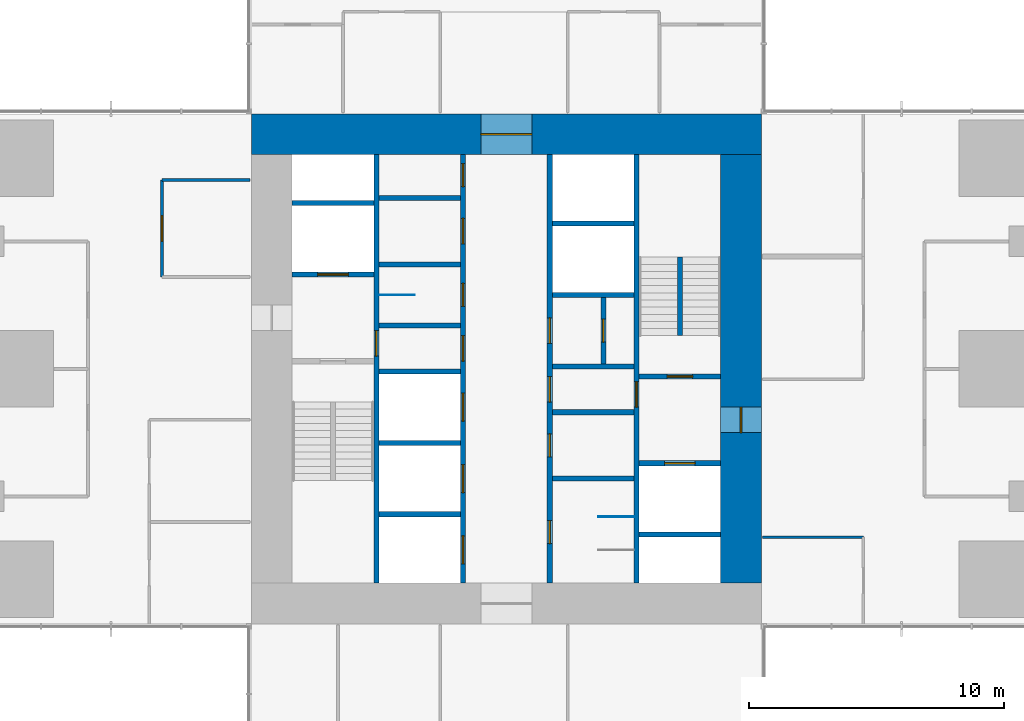
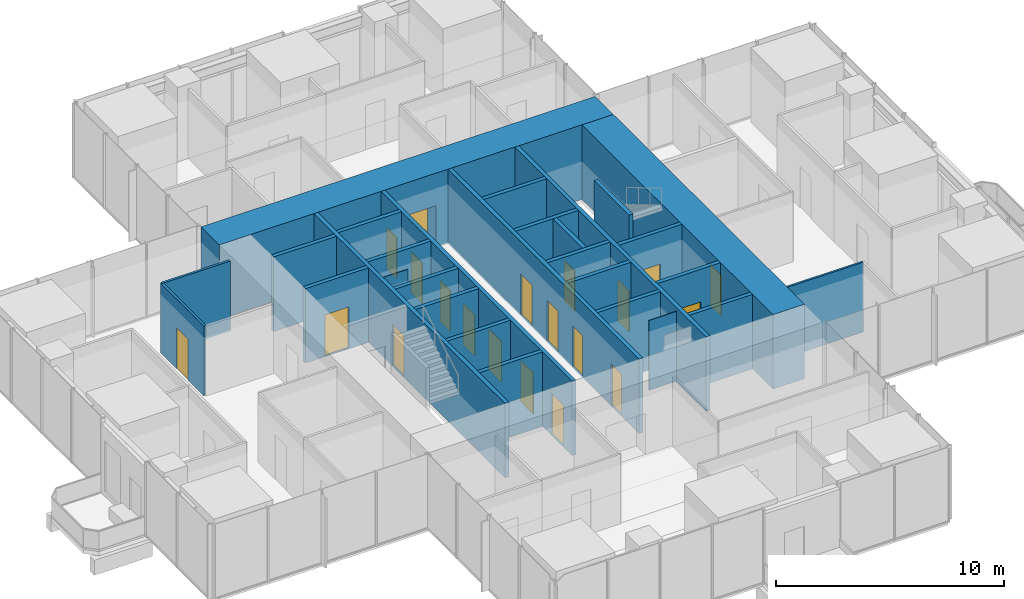
# One storey, part 9 of 14: 29 walls, 20 doors, 20 openings.
"""IFC4 building model written with IfcOpenShell, lengths in metres."""

from ifc_helpers import new_model, si_unit, direction, frame, frame_2d, origin, place, context, subcontext, project, spatial, rectangle, extrude, material, layer, layer_set, type_object, element, fill, save


model = new_model("IFC4")

# Units and contexts
model_context = context("Model", 3, precision=1e-05, world=origin(), true_north=direction((0.0, 1.0)))
body_context = subcontext(model_context, "Body", "Model", "MODEL_VIEW")
ifc_project = project(units=[si_unit("LENGTHUNIT", "METRE"), si_unit("AREAUNIT", "SQUARE_METRE"), si_unit("VOLUMEUNIT", "CUBIC_METRE"), si_unit("PLANEANGLEUNIT", "RADIAN"), si_unit("MASSUNIT", "GRAM", prefix="KILO")], contexts=[model_context])

# Site, building, storey
site_placement = place(None, origin())
site = spatial("IfcSite", under=ifc_project, at=site_placement, CompositionType="ELEMENT")
building_placement = place(site_placement, origin())
building = spatial("IfcBuilding", under=site, at=building_placement, Name="Svetlomir Tower", CompositionType="ELEMENT")
storey_placement = place(building_placement, frame((0.0, 0.0, 104.5)))
storey = spatial("IfcBuildingStorey", under=building, at=storey_placement, Name="L24", CompositionType="ELEMENT", Elevation=104.5)

# Wall, opening, door
ifc_material_1 = material(Name="Concrete C60/75", Category="concrete")
ifc_layer_1 = layer(ifc_material_1, 0.199951171875)
ifc_layer_set_1 = layer_set([ifc_layer_1], Name="Concrete C60/75")
wall_type_1 = type_object("IfcWallType", Name="CORE INNER WALL 200", PredefinedType="SHEAR", material=ifc_layer_set_1)
wall_1_placement = place(storey_placement, frame((15.89990234375, 12.60009765625, -0.050048828125), z_axis=(0.0, 0.0, 1.0), x_axis=(0.0, 1.0, 0.0)))
wall_1 = element("IfcWall", 1, at=wall_1_placement, inside=storey, type_object=wall_type_1, Name="Core inner wall 15.9 L24", PredefinedType="SHEAR", context=body_context, shape_type="SweptSolid", body=[
    extrude(rectangle(XDim=16.7998046875, YDim=0.199951171875, at=frame_2d((8.39990234375, 0.0))), origin(), (0.0, 0.0, 1.0), 4.0),
])
opening_1_placement = place(wall_1_placement, frame((8.89990234375, 0.0, 0.050048828125)))
opening_1 = element("IfcOpeningElement", 2, at=opening_1_placement, cuts=wall_1, Name="Opening DF", PredefinedType="OPENING", context=body_context, shape_type="SweptSolid", body=[
    extrude(rectangle(XDim=1.0, YDim=2.199951171875, at=frame_2d((0.5, 1.10009765625))), frame((0.0, 0.10986328125, 0.0), z_axis=(0.0, -1.0, 0.0), x_axis=(1.0, 0.0, 0.0)), (0.0, 0.0, 1.0), 0.219970703125),
])
ifc_material_2 = material(Name="Steel fire door", Category="steel")
door_type_1 = type_object("IfcDoorType", Name="DOOR DF 1000x2200", OperationType="SINGLE_SWING_LEFT", PredefinedType="DOOR", material=ifc_material_2)
door_1_placement = place(opening_1_placement, origin())
door_1 = element("IfcDoor", 3, at=door_1_placement, inside=storey, type_object=door_type_1, Name="Core corridor west door L24", OperationType="SINGLE_SWING_LEFT", OverallHeight=2.199951171875, OverallWidth=1.0, PredefinedType="DOOR", context=body_context, shape_type="SweptSolid", body=[
    extrude(rectangle(XDim=1.0, YDim=2.199951171875, at=frame_2d((0.5, 1.10009765625))), frame((0.0, 0.02490234375, 0.0), z_axis=(0.0, -1.0, 0.0), x_axis=(1.0, 0.0, 0.0)), (0.0, 0.0, 1.0), 0.050048828125),
])
fill(opening_1, door_1)

# Wall, openings, doors
wall_2_placement = place(storey_placement, frame((19.300048828125, 12.60009765625, -0.050048828125), z_axis=(0.0, 0.0, 1.0), x_axis=(0.0, 1.0, 0.0)))
wall_2 = element("IfcWall", 4, at=wall_2_placement, inside=storey, type_object=wall_type_1, Name="Core inner wall 19.3 L24", PredefinedType="SHEAR", context=body_context, shape_type="SweptSolid", body=[
    extrude(rectangle(XDim=16.7998046875, YDim=0.199951171875, at=frame_2d((8.39990234375, 0.0))), origin(), (0.0, 0.0, 1.0), 4.0),
])
opening_2_placement = place(wall_2_placement, frame((8.699951171875, 0.0, 0.050048828125)))
opening_2 = element("IfcOpeningElement", 5, at=opening_2_placement, cuts=wall_2, Name="Opening DC", PredefinedType="OPENING", context=body_context, shape_type="SweptSolid", body=[
    extrude(rectangle(XDim=1.0, YDim=2.199951171875, at=frame_2d((0.5, 1.10009765625))), frame((0.0, 0.10986328125, 0.0), z_axis=(0.0, -1.0, 0.0), x_axis=(1.0, 0.0, 0.0)), (0.0, 0.0, 1.0), 0.219970703125),
])
opening_3_placement = place(wall_2_placement, frame((10.85009765625, 0.0, 0.050048828125)))
opening_3 = element("IfcOpeningElement", 6, at=opening_3_placement, cuts=wall_2, Name="Opening DW", PredefinedType="OPENING", context=body_context, shape_type="SweptSolid", body=[
    extrude(rectangle(XDim=0.89990234375, YDim=2.199951171875, at=frame_2d((0.449951171875, 1.10009765625))), frame((0.0, 0.10986328125, 0.0), z_axis=(0.0, -1.0, 0.0), x_axis=(1.0, 0.0, 0.0)), (0.0, 0.0, 1.0), 0.219970703125),
])
opening_4_placement = place(wall_2_placement, frame((13.300048828125, 0.0, 0.050048828125)))
opening_4 = element("IfcOpeningElement", 7, at=opening_4_placement, cuts=wall_2, Name="Opening DC", PredefinedType="OPENING", context=body_context, shape_type="SweptSolid", body=[
    extrude(rectangle(XDim=1.0, YDim=2.199951171875, at=frame_2d((0.5, 1.10009765625))), frame((0.0, 0.10986328125, 0.0), z_axis=(0.0, -1.0, 0.0), x_axis=(1.0, 0.0, 0.0)), (0.0, 0.0, 1.0), 0.219970703125),
])
opening_5_placement = place(wall_2_placement, frame((15.550048828125, 0.0, 0.050048828125)))
opening_5 = element("IfcOpeningElement", 8, at=opening_5_placement, cuts=wall_2, Name="Opening DW", PredefinedType="OPENING", context=body_context, shape_type="SweptSolid", body=[
    extrude(rectangle(XDim=0.89990234375, YDim=2.199951171875, at=frame_2d((0.449951171875, 1.10009765625))), frame((0.0, 0.10986328125, 0.0), z_axis=(0.0, -1.0, 0.0), x_axis=(1.0, 0.0, 0.0)), (0.0, 0.0, 1.0), 0.219970703125),
])
opening_6_placement = place(wall_2_placement, frame((0.75, 0.0, 0.050048828125)))
opening_6 = element("IfcOpeningElement", 9, at=opening_6_placement, cuts=wall_2, Name="Opening LD", PredefinedType="OPENING", context=body_context, shape_type="SweptSolid", body=[
    extrude(rectangle(XDim=1.10009765625, YDim=2.199951171875, at=frame_2d((0.550048828125, 1.10009765625))), frame((0.0, 0.10986328125, 0.0), z_axis=(0.0, -1.0, 0.0), x_axis=(1.0, 0.0, 0.0)), (0.0, 0.0, 1.0), 0.219970703125),
])
opening_7_placement = place(wall_2_placement, frame((3.550048828125, 0.0, 0.050048828125)))
opening_7 = element("IfcOpeningElement", 10, at=opening_7_placement, cuts=wall_2, Name="Opening LD", PredefinedType="OPENING", context=body_context, shape_type="SweptSolid", body=[
    extrude(rectangle(XDim=1.10009765625, YDim=2.199951171875, at=frame_2d((0.550048828125, 1.10009765625))), frame((0.0, 0.10986328125, 0.0), z_axis=(0.0, -1.0, 0.0), x_axis=(1.0, 0.0, 0.0)), (0.0, 0.0, 1.0), 0.219970703125),
])
opening_8_placement = place(wall_2_placement, frame((6.35009765625, 0.0, 0.050048828125)))
opening_8 = element("IfcOpeningElement", 11, at=opening_8_placement, cuts=wall_2, Name="Opening LD", PredefinedType="OPENING", context=body_context, shape_type="SweptSolid", body=[
    extrude(rectangle(XDim=1.10009765625, YDim=2.199951171875, at=frame_2d((0.550048828125, 1.10009765625))), frame((0.0, 0.10986328125, 0.0), z_axis=(0.0, -1.0, 0.0), x_axis=(1.0, 0.0, 0.0)), (0.0, 0.0, 1.0), 0.219970703125),
])
ifc_material_3 = material(Name="Timber fire door", Category="wood")
door_type_2 = type_object("IfcDoorType", Name="DOOR DC 1000x2200", OperationType="SINGLE_SWING_LEFT", PredefinedType="DOOR", material=ifc_material_3)
door_2_placement = place(opening_2_placement, origin())
door_2 = element("IfcDoor", 12, at=door_2_placement, inside=storey, type_object=door_type_2, Name="Core corridor west lobby door L24", OperationType="SINGLE_SWING_LEFT", OverallHeight=2.199951171875, OverallWidth=1.0, PredefinedType="DOOR", context=body_context, shape_type="SweptSolid", body=[
    extrude(rectangle(XDim=1.0, YDim=2.199951171875, at=frame_2d((0.5, 1.10009765625))), frame((0.0, 0.02490234375, 0.0), z_axis=(0.0, -1.0, 0.0), x_axis=(1.0, 0.0, 0.0)), (0.0, 0.0, 1.0), 0.050048828125),
])
fill(opening_2, door_2)
door_3_placement = place(opening_4_placement, origin())
door_3 = element("IfcDoor", 13, at=door_3_placement, inside=storey, type_object=door_type_2, Name="Accessible WC door L24", OperationType="SINGLE_SWING_RIGHT", OverallHeight=2.199951171875, OverallWidth=1.0, PredefinedType="DOOR", context=body_context, shape_type="SweptSolid", body=[
    extrude(rectangle(XDim=1.0, YDim=2.199951171875, at=frame_2d((0.5, 1.10009765625))), frame((0.0, 0.02490234375, 0.0), z_axis=(0.0, -1.0, 0.0), x_axis=(1.0, 0.0, 0.0)), (0.0, 0.0, 1.0), 0.050048828125),
])
fill(opening_4, door_3)
ifc_material_4 = material(Name="Timber fire door", Category="wood")
door_type_3 = type_object("IfcDoorType", Name="DOOR DW 900x2200", OperationType="SINGLE_SWING_LEFT", PredefinedType="DOOR", material=ifc_material_4)
door_4_placement = place(opening_3_placement, origin())
door_4 = element("IfcDoor", 14, at=door_4_placement, inside=storey, type_object=door_type_3, Name="Female WC door L24", OperationType="SINGLE_SWING_LEFT", OverallHeight=2.199951171875, OverallWidth=0.89990234375, PredefinedType="DOOR", context=body_context, shape_type="SweptSolid", body=[
    extrude(rectangle(XDim=0.89990234375, YDim=2.199951171875, at=frame_2d((0.449951171875, 1.10009765625))), frame((0.0, 0.02490234375, 0.0), z_axis=(0.0, -1.0, 0.0), x_axis=(1.0, 0.0, 0.0)), (0.0, 0.0, 1.0), 0.050048828125),
])
fill(opening_3, door_4)
door_5_placement = place(opening_5_placement, origin())
door_5 = element("IfcDoor", 15, at=door_5_placement, inside=storey, type_object=door_type_3, Name="Cleaner's store door L24", OperationType="SINGLE_SWING_LEFT", OverallHeight=2.199951171875, OverallWidth=0.89990234375, PredefinedType="DOOR", context=body_context, shape_type="SweptSolid", body=[
    extrude(rectangle(XDim=0.89990234375, YDim=2.199951171875, at=frame_2d((0.449951171875, 1.10009765625))), frame((0.0, 0.02490234375, 0.0), z_axis=(0.0, -1.0, 0.0), x_axis=(1.0, 0.0, 0.0)), (0.0, 0.0, 1.0), 0.050048828125),
])
fill(opening_5, door_5)
ifc_material_5 = material(Name="Stainless steel landing door", Category="steel")
door_type_4 = type_object("IfcDoorType", Name="LIFT LANDING DOOR LD 1100x2200", OperationType="DOUBLE_DOOR_SLIDING", PredefinedType="DOOR", material=ifc_material_5)
door_6_placement = place(opening_6_placement, origin())
door_6 = element("IfcDoor", 16, at=door_6_placement, inside=storey, type_object=door_type_4, Name="Landing door lift LB1 L24", OperationType="DOUBLE_DOOR_SLIDING", OverallHeight=2.199951171875, OverallWidth=1.10009765625, PredefinedType="DOOR", context=body_context, shape_type="SweptSolid", body=[
    extrude(rectangle(XDim=1.10009765625, YDim=2.199951171875, at=frame_2d((0.550048828125, 1.10009765625))), frame((0.0, 0.02490234375, 0.0), z_axis=(0.0, -1.0, 0.0), x_axis=(1.0, 0.0, 0.0)), (0.0, 0.0, 1.0), 0.050048828125),
])
fill(opening_6, door_6)
door_7_placement = place(opening_7_placement, origin())
door_7 = element("IfcDoor", 17, at=door_7_placement, inside=storey, type_object=door_type_4, Name="Landing door lift LB2 L24", OperationType="DOUBLE_DOOR_SLIDING", OverallHeight=2.199951171875, OverallWidth=1.10009765625, PredefinedType="DOOR", context=body_context, shape_type="SweptSolid", body=[
    extrude(rectangle(XDim=1.10009765625, YDim=2.199951171875, at=frame_2d((0.550048828125, 1.10009765625))), frame((0.0, 0.02490234375, 0.0), z_axis=(0.0, -1.0, 0.0), x_axis=(1.0, 0.0, 0.0)), (0.0, 0.0, 1.0), 0.050048828125),
])
fill(opening_7, door_7)
door_8_placement = place(opening_8_placement, origin())
door_8 = element("IfcDoor", 18, at=door_8_placement, inside=storey, type_object=door_type_4, Name="Landing door lift LB3 L24", OperationType="DOUBLE_DOOR_SLIDING", OverallHeight=2.199951171875, OverallWidth=1.10009765625, PredefinedType="DOOR", context=body_context, shape_type="SweptSolid", body=[
    extrude(rectangle(XDim=1.10009765625, YDim=2.199951171875, at=frame_2d((0.550048828125, 1.10009765625))), frame((0.0, 0.02490234375, 0.0), z_axis=(0.0, -1.0, 0.0), x_axis=(1.0, 0.0, 0.0)), (0.0, 0.0, 1.0), 0.050048828125),
])
fill(opening_8, door_8)

wall_3_placement = place(storey_placement, frame((22.699951171875, 12.60009765625, -0.050048828125), z_axis=(0.0, 0.0, 1.0), x_axis=(0.0, 1.0, 0.0)))
wall_3 = element("IfcWall", 19, at=wall_3_placement, inside=storey, type_object=wall_type_1, Name="Core inner wall 22.7 L24", PredefinedType="SHEAR", context=body_context, shape_type="SweptSolid", body=[
    extrude(rectangle(XDim=16.7998046875, YDim=0.199951171875, at=frame_2d((8.39990234375, 0.0))), origin(), (0.0, 0.0, 1.0), 4.0),
])
opening_9_placement = place(wall_3_placement, frame((7.10009765625, 0.0, 0.050048828125)))
opening_9 = element("IfcOpeningElement", 20, at=opening_9_placement, cuts=wall_3, Name="Opening DC", PredefinedType="OPENING", context=body_context, shape_type="SweptSolid", body=[
    extrude(rectangle(XDim=1.0, YDim=2.199951171875, at=frame_2d((0.5, 1.10009765625))), frame((0.0, 0.10986328125, 0.0), z_axis=(0.0, -1.0, 0.0), x_axis=(1.0, 0.0, 0.0)), (0.0, 0.0, 1.0), 0.219970703125),
])
opening_10_placement = place(wall_3_placement, frame((1.550048828125, 0.0, 0.050048828125)))
opening_10 = element("IfcOpeningElement", 21, at=opening_10_placement, cuts=wall_3, Name="Opening DW", PredefinedType="OPENING", context=body_context, shape_type="SweptSolid", body=[
    extrude(rectangle(XDim=0.89990234375, YDim=2.199951171875, at=frame_2d((0.449951171875, 1.10009765625))), frame((0.0, 0.10986328125, 0.0), z_axis=(0.0, -1.0, 0.0), x_axis=(1.0, 0.0, 0.0)), (0.0, 0.0, 1.0), 0.219970703125),
])
opening_11_placement = place(wall_3_placement, frame((4.949951171875, 0.0, 0.050048828125)))
opening_11 = element("IfcOpeningElement", 22, at=opening_11_placement, cuts=wall_3, Name="Opening DW", PredefinedType="OPENING", context=body_context, shape_type="SweptSolid", body=[
    extrude(rectangle(XDim=0.89990234375, YDim=2.199951171875, at=frame_2d((0.449951171875, 1.10009765625))), frame((0.0, 0.10986328125, 0.0), z_axis=(0.0, -1.0, 0.0), x_axis=(1.0, 0.0, 0.0)), (0.0, 0.0, 1.0), 0.219970703125),
])
opening_12_placement = place(wall_3_placement, frame((9.39990234375, 0.0, 0.050048828125)))
opening_12 = element("IfcOpeningElement", 23, at=opening_12_placement, cuts=wall_3, Name="Opening DC", PredefinedType="OPENING", context=body_context, shape_type="SweptSolid", body=[
    extrude(rectangle(XDim=1.0, YDim=2.199951171875, at=frame_2d((0.5, 1.10009765625))), frame((0.0, 0.10986328125, 0.0), z_axis=(0.0, -1.0, 0.0), x_axis=(1.0, 0.0, 0.0)), (0.0, 0.0, 1.0), 0.219970703125),
])
door_9_placement = place(opening_9_placement, origin())
door_9 = element("IfcDoor", 24, at=door_9_placement, inside=storey, type_object=door_type_2, Name="Core corridor east lobby door L24", OperationType="SINGLE_SWING_RIGHT", OverallHeight=2.199951171875, OverallWidth=1.0, PredefinedType="DOOR", context=body_context, shape_type="SweptSolid", body=[
    extrude(rectangle(XDim=1.0, YDim=2.199951171875, at=frame_2d((0.5, 1.10009765625))), frame((0.0, 0.02490234375, 0.0), z_axis=(0.0, -1.0, 0.0), x_axis=(1.0, 0.0, 0.0)), (0.0, 0.0, 1.0), 0.050048828125),
])
fill(opening_9, door_9)
door_10_placement = place(opening_12_placement, origin())
door_10 = element("IfcDoor", 25, at=door_10_placement, inside=storey, type_object=door_type_2, Name="Converted shaft BANK-E1 room door L24", OperationType="SINGLE_SWING_RIGHT", OverallHeight=2.199951171875, OverallWidth=1.0, PredefinedType="DOOR", context=body_context, shape_type="SweptSolid", body=[
    extrude(rectangle(XDim=1.0, YDim=2.199951171875, at=frame_2d((0.5, 1.10009765625))), frame((0.0, 0.02490234375, 0.0), z_axis=(0.0, -1.0, 0.0), x_axis=(1.0, 0.0, 0.0)), (0.0, 0.0, 1.0), 0.050048828125),
])
fill(opening_12, door_10)
door_11_placement = place(opening_10_placement, origin())
door_11 = element("IfcDoor", 26, at=door_11_placement, inside=storey, type_object=door_type_3, Name="Male WC door L24", OperationType="SINGLE_SWING_RIGHT", OverallHeight=2.199951171875, OverallWidth=0.89990234375, PredefinedType="DOOR", context=body_context, shape_type="SweptSolid", body=[
    extrude(rectangle(XDim=0.89990234375, YDim=2.199951171875, at=frame_2d((0.449951171875, 1.10009765625))), frame((0.0, 0.02490234375, 0.0), z_axis=(0.0, -1.0, 0.0), x_axis=(1.0, 0.0, 0.0)), (0.0, 0.0, 1.0), 0.050048828125),
])
fill(opening_10, door_11)
door_12_placement = place(opening_11_placement, origin())
door_12 = element("IfcDoor", 27, at=door_12_placement, inside=storey, type_object=door_type_3, Name="Comms room door L24", OperationType="SINGLE_SWING_LEFT", OverallHeight=2.199951171875, OverallWidth=0.89990234375, PredefinedType="DOOR", context=body_context, shape_type="SweptSolid", body=[
    extrude(rectangle(XDim=0.89990234375, YDim=2.199951171875, at=frame_2d((0.449951171875, 1.10009765625))), frame((0.0, 0.02490234375, 0.0), z_axis=(0.0, -1.0, 0.0), x_axis=(1.0, 0.0, 0.0)), (0.0, 0.0, 1.0), 0.050048828125),
])
fill(opening_11, door_12)

# Wall, opening, door
wall_4_placement = place(storey_placement, frame((26.10009765625, 12.60009765625, -0.050048828125), z_axis=(0.0, 0.0, 1.0), x_axis=(0.0, 1.0, 0.0)))
wall_4 = element("IfcWall", 28, at=wall_4_placement, inside=storey, type_object=wall_type_1, Name="Core inner wall 26.1 L24", PredefinedType="SHEAR", context=body_context, shape_type="SweptSolid", body=[
    extrude(rectangle(XDim=16.7998046875, YDim=0.199951171875, at=frame_2d((8.39990234375, 0.0))), origin(), (0.0, 0.0, 1.0), 4.0),
])
opening_13_placement = place(wall_4_placement, frame((6.89990234375, 0.0, 0.050048828125)))
opening_13 = element("IfcOpeningElement", 29, at=opening_13_placement, cuts=wall_4, Name="Opening DF", PredefinedType="OPENING", context=body_context, shape_type="SweptSolid", body=[
    extrude(rectangle(XDim=1.0, YDim=2.199951171875, at=frame_2d((0.5, 1.10009765625))), frame((0.0, 0.10986328125, 0.0), z_axis=(0.0, -1.0, 0.0), x_axis=(1.0, 0.0, 0.0)), (0.0, 0.0, 1.0), 0.219970703125),
])
door_13_placement = place(opening_13_placement, origin())
door_13 = element("IfcDoor", 30, at=door_13_placement, inside=storey, type_object=door_type_1, Name="Core corridor east door L24", OperationType="SINGLE_SWING_LEFT", OverallHeight=2.199951171875, OverallWidth=1.0, PredefinedType="DOOR", context=body_context, shape_type="SweptSolid", body=[
    extrude(rectangle(XDim=1.0, YDim=2.199951171875, at=frame_2d((0.5, 1.10009765625))), frame((0.0, 0.02490234375, 0.0), z_axis=(0.0, -1.0, 0.0), x_axis=(1.0, 0.0, 0.0)), (0.0, 0.0, 1.0), 0.050048828125),
])
fill(opening_13, door_13)

wall_5_placement = place(storey_placement, frame((12.60009765625, 24.699951171875, -0.050048828125), z_axis=(0.0, 0.0, 1.0), x_axis=(1.0, 0.0, 0.0)))
wall_5 = element("IfcWall", 31, at=wall_5_placement, inside=storey, type_object=wall_type_1, Name="Core inner wall 12.6-15.8/24.7 L24", PredefinedType="SHEAR", context=body_context, shape_type="SweptSolid", body=[
    extrude(rectangle(XDim=3.199951171875, YDim=0.199951171875, at=frame_2d((1.60009765625, 0.0))), origin(), (0.0, 0.0, 1.0), 4.0),
])
opening_14_placement = place(wall_5_placement, frame((1.0, 0.0, 0.050048828125)))
opening_14 = element("IfcOpeningElement", 32, at=opening_14_placement, cuts=wall_5, Name="Opening LD3", PredefinedType="OPENING", context=body_context, shape_type="SweptSolid", body=[
    extrude(rectangle(XDim=1.199951171875, YDim=2.199951171875, at=frame_2d((0.60009765625, 1.10009765625))), frame((0.0, 0.10986328125, 0.0), z_axis=(0.0, -1.0, 0.0), x_axis=(1.0, 0.0, 0.0)), (0.0, 0.0, 1.0), 0.219970703125),
])
ifc_material_6 = material(Name="Stainless steel fire-rated landing door", Category="steel")
door_type_5 = type_object("IfcDoorType", Name="FIREFIGHTING LIFT LANDING DOOR LD3 1200x2200", OperationType="DOUBLE_DOOR_SLIDING", PredefinedType="DOOR", material=ifc_material_6)
door_14_placement = place(opening_14_placement, origin())
door_14 = element("IfcDoor", 33, at=door_14_placement, inside=storey, type_object=door_type_5, Name="Landing door lift FL1 L24", OperationType="DOUBLE_DOOR_SLIDING", OverallHeight=2.199951171875, OverallWidth=1.199951171875, PredefinedType="DOOR", context=body_context, shape_type="SweptSolid", body=[
    extrude(rectangle(XDim=1.199951171875, YDim=2.199951171875, at=frame_2d((0.60009765625, 1.10009765625))), frame((0.0, 0.02490234375, 0.0), z_axis=(0.0, -1.0, 0.0), x_axis=(1.0, 0.0, 0.0)), (0.0, 0.0, 1.0), 0.050048828125),
])
fill(opening_14, door_14)

# Walls
for number, where, z_axis, x_axis, name in (
    (34, (12.60009765625, 27.5, -0.050048828125), (0.0, 0.0, 1.0), (1.0, 0.0, 0.0), "Core inner wall 12.6-15.8/27.5 L24"),
    (35, (16.0, 15.300048828125, -0.050048828125), (0.0, 0.0, 1.0), (1.0, 0.0, 0.0), "Core inner wall 16-19.2/15.3 L24"),
    (36, (16.0, 18.10009765625, -0.050048828125), (0.0, 0.0, 1.0), (1.0, 0.0, 0.0), "Core inner wall 16-19.2/18.1 L24"),
    (37, (16.0, 20.89990234375, -0.050048828125), (0.0, 0.0, 1.0), (1.0, 0.0, 0.0), "Core inner wall 16-19.2/20.9 L24"),
    (38, (16.0, 22.699951171875, -0.050048828125), (0.0, 0.0, 1.0), (1.0, 0.0, 0.0), "Core inner wall 16-19.2/22.7 L24"),
    (39, (16.0, 25.10009765625, -0.050048828125), (0.0, 0.0, 1.0), (1.0, 0.0, 0.0), "Core inner wall 16-19.2/25.1 L24"),
    (40, (16.0, 27.699951171875, -0.050048828125), (0.0, 0.0, 1.0), (1.0, 0.0, 0.0), "Core inner wall 16-19.2/27.7 L24"),
    (41, (22.800048828125, 16.699951171875, -0.050048828125), (0.0, 0.0, 1.0), (1.0, 0.0, 0.0), "Core inner wall 22.8-26/16.7 L24"),
    (42, (22.800048828125, 19.300048828125, -0.050048828125), (0.0, 0.0, 1.0), (1.0, 0.0, 0.0), "Core inner wall 22.8-26/19.3 L24"),
    (43, (22.800048828125, 21.10009765625, -0.050048828125), (0.0, 0.0, 1.0), (1.0, 0.0, 0.0), "Core inner wall 22.8-26/21.1 L24"),
    (44, (22.800048828125, 23.89990234375, -0.050048828125), (0.0, 0.0, 1.0), (1.0, 0.0, 0.0), "Core inner wall 22.8-26/23.9 L24"),
    (45, (22.800048828125, 26.699951171875, -0.050048828125), (0.0, 0.0, 1.0), (1.0, 0.0, 0.0), "Core inner wall 22.8-26/26.7 L24"),
    (46, (26.199951171875, 14.5, -0.050048828125), (0.0, 0.0, 1.0), (1.0, 0.0, 0.0), "Core inner wall 26.2-29.4/14.5 L24"),
):
    element("IfcWall", number, at=place(storey_placement, frame(where, z_axis=z_axis, x_axis=x_axis)), inside=storey, type_object=wall_type_1, Name=name, PredefinedType="SHEAR", context=body_context, shape_type="SweptSolid", body=[
        extrude(rectangle(XDim=3.199951171875, YDim=0.199951171875, at=frame_2d((1.60009765625, 0.0))), origin(), (0.0, 0.0, 1.0), 4.0),
    ])

# Wall, opening, door
wall_6_placement = place(storey_placement, frame((26.199951171875, 17.300048828125, -0.050048828125), z_axis=(0.0, 0.0, 1.0), x_axis=(1.0, 0.0, 0.0)))
wall_6 = element("IfcWall", 47, at=wall_6_placement, inside=storey, type_object=wall_type_1, Name="Core inner wall 26.2-29.4/17.3 L24", PredefinedType="SHEAR", context=body_context, shape_type="SweptSolid", body=[
    extrude(rectangle(XDim=3.199951171875, YDim=0.199951171875, at=frame_2d((1.60009765625, 0.0))), origin(), (0.0, 0.0, 1.0), 4.0),
])
opening_15_placement = place(wall_6_placement, frame((1.0, 0.0, 0.050048828125)))
opening_15 = element("IfcOpeningElement", 48, at=opening_15_placement, cuts=wall_6, Name="Opening LD3", PredefinedType="OPENING", context=body_context, shape_type="SweptSolid", body=[
    extrude(rectangle(XDim=1.199951171875, YDim=2.199951171875, at=frame_2d((0.60009765625, 1.10009765625))), frame((0.0, 0.10986328125, 0.0), z_axis=(0.0, -1.0, 0.0), x_axis=(1.0, 0.0, 0.0)), (0.0, 0.0, 1.0), 0.219970703125),
])
door_15_placement = place(opening_15_placement, origin())
door_15 = element("IfcDoor", 49, at=door_15_placement, inside=storey, type_object=door_type_5, Name="Landing door lift FL2 L24", OperationType="DOUBLE_DOOR_SLIDING", OverallHeight=2.199951171875, OverallWidth=1.199951171875, PredefinedType="DOOR", context=body_context, shape_type="SweptSolid", body=[
    extrude(rectangle(XDim=1.199951171875, YDim=2.199951171875, at=frame_2d((0.60009765625, 1.10009765625))), frame((0.0, 0.02490234375, 0.0), z_axis=(0.0, -1.0, 0.0), x_axis=(1.0, 0.0, 0.0)), (0.0, 0.0, 1.0), 0.050048828125),
])
fill(opening_15, door_15)

wall_7_placement = place(storey_placement, frame((26.199951171875, 20.699951171875, -0.050048828125), z_axis=(0.0, 0.0, 1.0), x_axis=(1.0, 0.0, 0.0)))
wall_7 = element("IfcWall", 50, at=wall_7_placement, inside=storey, type_object=wall_type_1, Name="Core inner wall 26.2-29.4/20.7 L24", PredefinedType="SHEAR", context=body_context, shape_type="SweptSolid", body=[
    extrude(rectangle(XDim=3.199951171875, YDim=0.199951171875, at=frame_2d((1.60009765625, 0.0))), origin(), (0.0, 0.0, 1.0), 4.0),
])
opening_16_placement = place(wall_7_placement, frame((1.10009765625, 0.0, 0.050048828125)))
opening_16 = element("IfcOpeningElement", 51, at=opening_16_placement, cuts=wall_7, Name="Opening DF", PredefinedType="OPENING", context=body_context, shape_type="SweptSolid", body=[
    extrude(rectangle(XDim=1.0, YDim=2.199951171875, at=frame_2d((0.5, 1.10009765625))), frame((0.0, 0.10986328125, 0.0), z_axis=(0.0, -1.0, 0.0), x_axis=(1.0, 0.0, 0.0)), (0.0, 0.0, 1.0), 0.219970703125),
])
door_16_placement = place(opening_16_placement, origin())
door_16 = element("IfcDoor", 52, at=door_16_placement, inside=storey, type_object=door_type_1, Name="Stair S2 door L24", OperationType="SINGLE_SWING_RIGHT", OverallHeight=2.199951171875, OverallWidth=1.0, PredefinedType="DOOR", context=body_context, shape_type="SweptSolid", body=[
    extrude(rectangle(XDim=1.0, YDim=2.199951171875, at=frame_2d((0.5, 1.10009765625))), frame((0.0, 0.02490234375, 0.0), z_axis=(0.0, -1.0, 0.0), x_axis=(1.0, 0.0, 0.0)), (0.0, 0.0, 1.0), 0.050048828125),
])
fill(opening_16, door_16)

wall_8_placement = place(storey_placement, frame((24.800048828125, 21.199951171875, -0.050048828125), z_axis=(0.0, 0.0, 1.0), x_axis=(0.0, 1.0, 0.0)))
wall_8 = element("IfcWall", 53, at=wall_8_placement, inside=storey, type_object=wall_type_1, Name="Core inner wall 24.8/21.2-23.8 L24", PredefinedType="SHEAR", context=body_context, shape_type="SweptSolid", body=[
    extrude(rectangle(XDim=2.60009765625, YDim=0.199951171875, at=frame_2d((1.300048828125, 0.0))), origin(), (0.0, 0.0, 1.0), 4.0),
])
opening_17_placement = place(wall_8_placement, frame((0.85009765625, 0.0, 0.050048828125)))
opening_17 = element("IfcOpeningElement", 54, at=opening_17_placement, cuts=wall_8, Name="Opening DW", PredefinedType="OPENING", context=body_context, shape_type="SweptSolid", body=[
    extrude(rectangle(XDim=0.89990234375, YDim=2.199951171875, at=frame_2d((0.449951171875, 1.10009765625))), frame((0.0, 0.10986328125, 0.0), z_axis=(0.0, -1.0, 0.0), x_axis=(1.0, 0.0, 0.0)), (0.0, 0.0, 1.0), 0.219970703125),
])
door_17_placement = place(opening_17_placement, origin())
door_17 = element("IfcDoor", 55, at=door_17_placement, inside=storey, type_object=door_type_3, Name="Converted shaft BANK-E1 back room door L24", OperationType="SINGLE_SWING_LEFT", OverallHeight=2.199951171875, OverallWidth=0.89990234375, PredefinedType="DOOR", context=body_context, shape_type="SweptSolid", body=[
    extrude(rectangle(XDim=0.89990234375, YDim=2.199951171875, at=frame_2d((0.449951171875, 1.10009765625))), frame((0.0, 0.02490234375, 0.0), z_axis=(0.0, -1.0, 0.0), x_axis=(1.0, 0.0, 0.0)), (0.0, 0.0, 1.0), 0.050048828125),
])
fill(opening_17, door_17)

ifc_material_7 = material(Name="Concrete C60/75", Category="concrete")
ifc_layer_2 = layer(ifc_material_7, 1.60009765625)
ifc_layer_set_2 = layer_set([ifc_layer_2], Name="Concrete C60/75")
wall_type_2 = type_object("IfcWallType", Name="CORE WALL 1600", PredefinedType="SHEAR", material=ifc_layer_set_2)
wall_9_placement = place(storey_placement, frame((11.0, 30.199951171875, -0.050048828125), z_axis=(0.0, 0.0, 1.0), x_axis=(1.0, 0.0, 0.0)))
wall_9 = element("IfcWall", 56, at=wall_9_placement, inside=storey, type_object=wall_type_2, Name="Core wall north L24", PredefinedType="SHEAR", context=body_context, shape_type="SweptSolid", body=[
    extrude(rectangle(XDim=20.0, YDim=1.60009765625, at=frame_2d((10.0, 0.0))), origin(), (0.0, 0.0, 1.0), 4.0),
])
opening_18_placement = place(wall_9_placement, frame((9.0, 0.0, 0.050048828125)))
opening_18 = element("IfcOpeningElement", 57, at=opening_18_placement, cuts=wall_9, Name="Opening DL", PredefinedType="OPENING", context=body_context, shape_type="SweptSolid", body=[
    extrude(rectangle(XDim=2.0, YDim=2.199951171875, at=frame_2d((1.0, 1.10009765625))), frame((0.0, 0.81005859375, 0.0), z_axis=(0.0, -1.0, 0.0), x_axis=(1.0, 0.0, 0.0)), (0.0, 0.0, 1.0), 1.6201171875),
])
ifc_material_8 = material(Name="Steel fire door", Category="steel")
door_type_6 = type_object("IfcDoorType", Name="DOOR DL 2000x2200", OperationType="DOUBLE_DOOR_SINGLE_SWING", PredefinedType="DOOR", material=ifc_material_8)
door_18_placement = place(opening_18_placement, origin())
door_18 = element("IfcDoor", 58, at=door_18_placement, inside=storey, type_object=door_type_6, Name="Lift lobby north door L24", OperationType="DOUBLE_DOOR_SINGLE_SWING", OverallHeight=2.199951171875, OverallWidth=2.0, PredefinedType="DOOR", context=body_context, shape_type="SweptSolid", body=[
    extrude(rectangle(XDim=2.0, YDim=2.199951171875, at=frame_2d((1.0, 1.10009765625))), frame((0.0, 0.02490234375, 0.0), z_axis=(0.0, -1.0, 0.0), x_axis=(1.0, 0.0, 0.0)), (0.0, 0.0, 1.0), 0.050048828125),
])
fill(opening_18, door_18)

wall_10_placement = place(storey_placement, frame((30.199951171875, 12.60009765625, -0.050048828125), z_axis=(0.0, 0.0, 1.0), x_axis=(0.0, 1.0, 0.0)))
wall_10 = element("IfcWall", 59, at=wall_10_placement, inside=storey, type_object=wall_type_2, Name="Core wall east L24", PredefinedType="SHEAR", context=body_context, shape_type="SweptSolid", body=[
    extrude(rectangle(XDim=16.7998046875, YDim=1.60009765625, at=frame_2d((8.39990234375, 0.0))), origin(), (0.0, 0.0, 1.0), 4.0),
])
opening_19_placement = place(wall_10_placement, frame((5.89990234375, 0.0, 0.050048828125)))
opening_19 = element("IfcOpeningElement", 60, at=opening_19_placement, cuts=wall_10, Name="Opening DF", PredefinedType="OPENING", context=body_context, shape_type="SweptSolid", body=[
    extrude(rectangle(XDim=1.0, YDim=2.199951171875, at=frame_2d((0.5, 1.10009765625))), frame((0.0, 0.81005859375, 0.0), z_axis=(0.0, -1.0, 0.0), x_axis=(1.0, 0.0, 0.0)), (0.0, 0.0, 1.0), 1.6201171875),
])
door_19_placement = place(opening_19_placement, origin())
door_19 = element("IfcDoor", 61, at=door_19_placement, inside=storey, type_object=door_type_1, Name="Firefighting lobby east door L24", OperationType="SINGLE_SWING_RIGHT", OverallHeight=2.199951171875, OverallWidth=1.0, PredefinedType="DOOR", context=body_context, shape_type="SweptSolid", body=[
    extrude(rectangle(XDim=1.0, YDim=2.199951171875, at=frame_2d((0.5, 1.10009765625))), frame((0.0, 0.02490234375, 0.0), z_axis=(0.0, -1.0, 0.0), x_axis=(1.0, 0.0, 0.0)), (0.0, 0.0, 1.0), 0.050048828125),
])
fill(opening_19, door_19)

# Wall
ifc_material_9 = material(Name="Framed laminated glass partition", Category="glass")
ifc_layer_3 = layer(ifc_material_9, 0.10009765625)
ifc_layer_set_3 = layer_set([ifc_layer_3], Name="Framed laminated glass partition")
wall_type_3 = type_object("IfcWallType", Name="GLAZED PARTITION 100", PredefinedType="PARTITIONING", material=ifc_layer_set_3)
wall_11_placement = place(storey_placement, frame((31.050048828125, 14.39990234375, 0.0), z_axis=(0.0, 0.0, 1.0), x_axis=(1.0, 0.0, 0.0)))
element("IfcWall", 62, at=wall_11_placement, inside=storey, type_object=wall_type_3, Name="Glazed partition L24", PredefinedType="PARTITIONING", context=body_context, shape_type="SweptSolid", body=[
    extrude(rectangle(XDim=3.949951171875, YDim=0.10009765625, at=frame_2d((1.97509765625, 0.0))), origin(), (0.0, 0.0, 1.0), 3.75),
])

# Wall, opening, door
ifc_material_10 = material(Name="Gypsum board on steel studs", Category="steel")
ifc_layer_4 = layer(ifc_material_10, 0.1201171875)
ifc_layer_set_4 = layer_set([ifc_layer_4], Name="Gypsum board on steel studs")
wall_type_4 = type_object("IfcWallType", Name="PARTITION 120", PredefinedType="PARTITIONING", material=ifc_layer_set_4)
wall_12_placement = place(storey_placement, frame((7.5, 24.60009765625, 0.0), z_axis=(0.0, 0.0, 1.0), x_axis=(0.0, 1.0, 0.0)))
wall_12 = element("IfcWall", 63, at=wall_12_placement, inside=storey, type_object=wall_type_4, Name="Partition L24", PredefinedType="PARTITIONING", context=body_context, shape_type="SweptSolid", body=[
    extrude(rectangle(XDim=3.7998046875, YDim=0.1201171875, at=frame_2d((1.89990234375, 0.0))), origin(), (0.0, 0.0, 1.0), 3.75),
])
opening_20_placement = place(wall_12_placement, frame((1.39990234375, 0.0, 0.0)))
opening_20 = element("IfcOpeningElement", 64, at=opening_20_placement, cuts=wall_12, Name="Opening DR", PredefinedType="OPENING", context=body_context, shape_type="SweptSolid", body=[
    extrude(rectangle(XDim=1.0, YDim=2.199951171875, at=frame_2d((0.5, 1.10009765625))), frame((0.0, 0.070068359375, 0.0), z_axis=(0.0, -1.0, 0.0), x_axis=(1.0, 0.0, 0.0)), (0.0, 0.0, 1.0), 0.14013671875),
])
ifc_material_11 = material(Name="Timber door, glazed side light", Category="wood")
door_type_7 = type_object("IfcDoorType", Name="DOOR DR 1000x2200", OperationType="SINGLE_SWING_LEFT", PredefinedType="DOOR", material=ifc_material_11)
door_20_placement = place(opening_20_placement, origin())
door_20 = element("IfcDoor", 65, at=door_20_placement, inside=storey, type_object=door_type_7, Name="Court bundle store door L24", OperationType="SINGLE_SWING_LEFT", OverallHeight=2.199951171875, OverallWidth=1.0, PredefinedType="DOOR", context=body_context, shape_type="SweptSolid", body=[
    extrude(rectangle(XDim=1.0, YDim=2.199951171875, at=frame_2d((0.5, 1.10009765625))), frame((0.0, 0.02490234375, 0.0), z_axis=(0.0, -1.0, 0.0), x_axis=(1.0, 0.0, 0.0)), (0.0, 0.0, 1.0), 0.050048828125),
])
fill(opening_20, door_20)

# Walls
wall_13_placement = place(storey_placement, frame((7.5, 28.39990234375, 0.0), z_axis=(0.0, 0.0, 1.0), x_axis=(1.0, 0.0, 0.0)))
element("IfcWall", 66, at=wall_13_placement, inside=storey, type_object=wall_type_4, Name="Partition L24", PredefinedType="PARTITIONING", context=body_context, shape_type="SweptSolid", body=[
    extrude(rectangle(XDim=3.449951171875, YDim=0.1201171875, at=frame_2d((1.72509765625, 0.0))), origin(), (0.0, 0.0, 1.0), 3.75),
])
ifc_material_12 = material(Name="Concrete C60/75", Category="concrete")
ifc_layer_5 = layer(ifc_material_12, 0.199951171875)
ifc_layer_set_5 = layer_set([ifc_layer_5], Name="Concrete C60/75")
wall_type_5 = type_object("IfcWallType", Name="STAIR SPINE WALL 200", PredefinedType="PARTITIONING", material=ifc_layer_set_5)
wall_14_placement = place(storey_placement, frame((27.800048828125, 22.300048828125, 0.0), z_axis=(0.0, 0.0, 1.0), x_axis=(0.0, 1.0, 0.0)))
element("IfcWall", 67, at=wall_14_placement, inside=storey, type_object=wall_type_5, Name="Stair S2 spine wall L24", PredefinedType="PARTITIONING", context=body_context, shape_type="SweptSolid", body=[
    extrude(rectangle(XDim=3.079833984375, YDim=0.199951171875, at=frame_2d((1.5400390625, 0.0))), origin(), (0.0, 0.0, 1.0), 4.0),
])
ifc_material_13 = material(Name="Compact laminate panel", Category="plastic")
ifc_layer_6 = layer(ifc_material_13, 0.030029296875)
ifc_layer_set_6 = layer_set([ifc_layer_6], Name="Compact laminate panel")
wall_type_6 = type_object("IfcWallType", Name="WC CUBICLE PARTITION 30", PredefinedType="PARTITIONING", material=ifc_layer_set_6)
for number, where, z_axis, x_axis, name in (
    (68, (24.60009765625, 15.199951171875, 0.0), (0.0, 0.0, 1.0), (1.0, 0.0, 0.0), "WC cubicle partition L24"),
    (69, (16.0, 23.89990234375, 0.0), (0.0, 0.0, 1.0), (1.0, 0.0, 0.0), "WC cubicle partition L24"),
):
    element("IfcWall", number, at=place(storey_placement, frame(where, z_axis=z_axis, x_axis=x_axis)), inside=storey, type_object=wall_type_6, Name=name, PredefinedType="PARTITIONING", context=body_context, shape_type="SweptSolid", body=[
        extrude(rectangle(XDim=1.39990234375, YDim=0.030029296875, at=frame_2d((0.699951171875, 0.0))), origin(), (0.0, 0.0, 1.0), 3.75),
    ])

save(model, "model.ifc")
